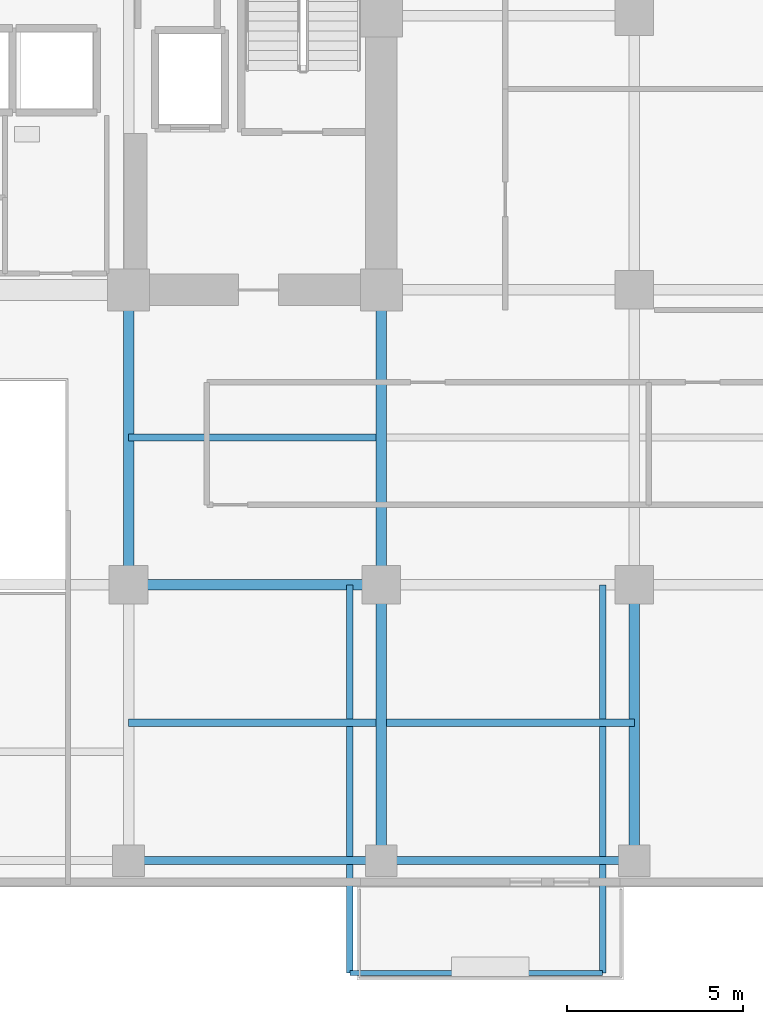
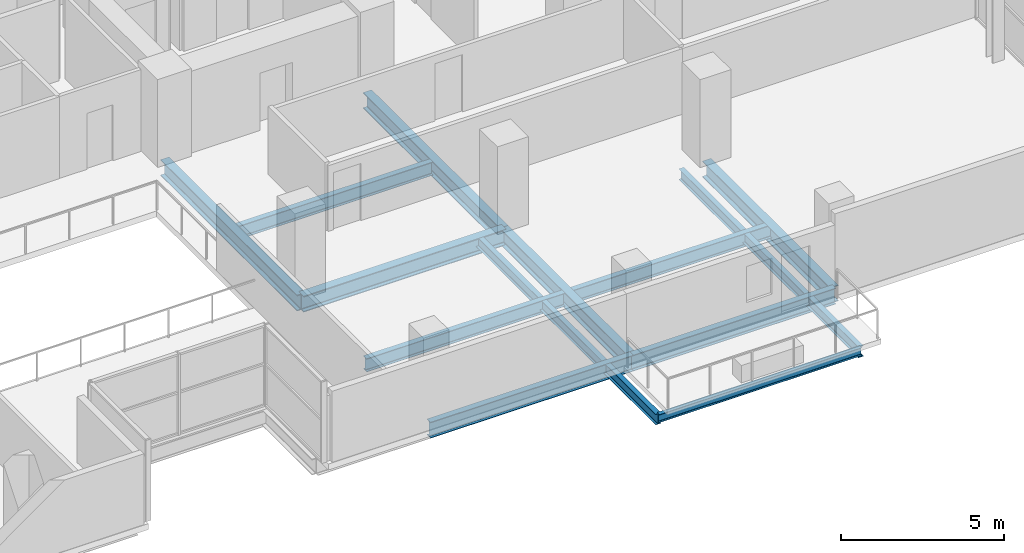
# One storey, part 10 of 31: 13 beams.
"""IFC4 building model written with IfcOpenShell, lengths in metres."""

from ifc_helpers import new_model, si_unit, direction, frame, origin, origin_2d, place, context, subcontext, project, spatial, i_section, extrude, material, material_profile, profile_set, type_object, element, save


model = new_model("IFC4")

# Units and contexts
model_context = context("Model", 3, precision=1e-05, world=origin(), true_north=direction((0.0, 1.0)))
body_context = subcontext(model_context, "Body", "Model", "MODEL_VIEW")
ifc_project = project(units=[si_unit("LENGTHUNIT", "METRE"), si_unit("AREAUNIT", "SQUARE_METRE"), si_unit("VOLUMEUNIT", "CUBIC_METRE"), si_unit("PLANEANGLEUNIT", "RADIAN"), si_unit("MASSUNIT", "GRAM", prefix="KILO")], contexts=[model_context])

# Site, building, storey
site_placement = place(None, origin())
site = spatial("IfcSite", under=ifc_project, at=site_placement, CompositionType="ELEMENT")
building_placement = place(site_placement, origin())
building = spatial("IfcBuilding", under=site, at=building_placement, Name="Zarnakvel Exchange Tower", CompositionType="ELEMENT")
storey_placement = place(building_placement, frame((0.0, 0.0, 67.0)))
storey = spatial("IfcBuildingStorey", under=building, at=storey_placement, Name="L18", CompositionType="ELEMENT", Elevation=67.0)

# Beams
ifc_material = material(Name="Steel S355", Category="steel")
ifc_material_profile_1 = material_profile(ifc_material, i_section(OverallWidth=0.199951171875, OverallDepth=0.5, WebThickness=0.01025390625, FlangeThickness=0.01611328125, FilletRadius=0.02099609375, at=origin_2d()))
ifc_profile_set_1 = profile_set([ifc_material_profile_1], Name="Steel S355")
beam_type_1 = type_object("IfcBeamType", Name="B-04", PredefinedType="JOIST", material=ifc_profile_set_1)
for number, where, z_axis, x_axis, name in (
    (1, (7.199951171875, -13.52490234375, -0.47509765625), (1.0, 0.0, 0.0), (0.0, 1.0, 0.0), "L18 Composite Floor Secondary Joist"),
    (2, (14.550048828125, -13.52490234375, -0.47509765625), (1.0, 0.0, 0.0), (0.0, 1.0, 0.0), "L18 Composite Floor Secondary Joist"),
    (3, (7.199951171875, -5.39990234375, -0.47509765625), (1.0, 0.0, 0.0), (0.0, 1.0, 0.0), "L18 Composite Floor Secondary Joist"),
):
    element("IfcBeam", number, at=place(storey_placement, frame(where, z_axis=z_axis, x_axis=x_axis)), inside=storey, type_object=beam_type_1, Name=name, PredefinedType="JOIST", context=body_context, shape_type="SweptSolid", body=[
        extrude(i_section(OverallWidth=0.199951171875, OverallDepth=0.5, WebThickness=0.01025390625, FlangeThickness=0.01611328125, FilletRadius=0.02099609375, at=origin_2d()), origin(), (0.0, 0.0, 1.0), 7.050048828125),
    ])
ifc_material_profile_2 = material_profile(ifc_material, i_section(OverallWidth=0.179931640625, OverallDepth=0.39990234375, WebThickness=0.008544921875, FlangeThickness=0.013427734375, FilletRadius=0.02099609375, at=origin_2d()))
ifc_profile_set_2 = profile_set([ifc_material_profile_2], Name="Steel S355")
beam_type_2 = type_object("IfcBeamType", Name="B-06", PredefinedType="JOIST", material=ifc_profile_set_2)
for number, where, z_axis, x_axis, name in (
    (4, (13.5, -9.60009765625, -0.425048828125), (0.0, -1.0, 0.0), (1.0, 0.0, 0.0), "L18 Continuous Back-Spanned Balcony Beam W"),
    (5, (20.699951171875, -9.60009765625, -0.425048828125), (0.0, -1.0, 0.0), (1.0, 0.0, 0.0), "L18 Continuous Back-Spanned Balcony Beam E"),
):
    element("IfcBeam", number, at=place(storey_placement, frame(where, z_axis=z_axis, x_axis=x_axis)), inside=storey, type_object=beam_type_2, Name=name, PredefinedType="JOIST", context=body_context, shape_type="SweptSolid", body=[
        extrude(i_section(OverallWidth=0.179931640625, OverallDepth=0.39990234375, WebThickness=0.008544921875, FlangeThickness=0.013427734375, FilletRadius=0.02099609375, at=origin_2d()), origin(), (0.0, 0.0, 1.0), 11.0498046875),
    ])
ifc_material_profile_3 = material_profile(ifc_material, i_section(OverallWidth=0.14990234375, OverallDepth=0.300048828125, WebThickness=0.007080078125, FlangeThickness=0.0107421875, FilletRadius=0.014892578125, at=origin_2d()))
ifc_profile_set_3 = profile_set([ifc_material_profile_3], Name="Steel S355")
beam_type_3 = type_object("IfcBeamType", Name="B-08", PredefinedType="JOIST", material=ifc_profile_set_3)
beam_1_placement = place(storey_placement, frame((13.5, -20.64990234375, -0.375), z_axis=(1.0, 0.0, 0.0), x_axis=(0.0, 1.0, 0.0)))
element("IfcBeam", 6, at=beam_1_placement, inside=storey, type_object=beam_type_3, Name="L18 Balcony Edge Beam", PredefinedType="JOIST", context=body_context, shape_type="SweptSolid", body=[
    extrude(i_section(OverallWidth=0.14990234375, OverallDepth=0.300048828125, WebThickness=0.007080078125, FlangeThickness=0.0107421875, FilletRadius=0.014892578125, at=origin_2d()), origin(), (0.0, 0.0, 1.0), 7.199951171875),
])
ifc_material_profile_4 = material_profile(ifc_material, i_section(OverallWidth=0.300048828125, OverallDepth=0.60009765625, WebThickness=0.015380859375, FlangeThickness=0.030029296875, FilletRadius=0.027099609375, at=origin_2d()))
ifc_profile_set_4 = profile_set([ifc_material_profile_4], Name="Steel S355")
beam_type_4 = type_object("IfcBeamType", Name="G-04", PredefinedType="BEAM", material=ifc_profile_set_4)
beam_2_placement = place(storey_placement, frame((7.199951171875, -9.60009765625, -0.52490234375), z_axis=(1.0, 0.0, 0.0), x_axis=(0.0, 1.0, 0.0)))
element("IfcBeam", 7, at=beam_2_placement, inside=storey, type_object=beam_type_4, Name="L18 Tower E-W Frame Beam", PredefinedType="BEAM", context=body_context, shape_type="SweptSolid", body=[
    extrude(i_section(OverallWidth=0.300048828125, OverallDepth=0.60009765625, WebThickness=0.015380859375, FlangeThickness=0.030029296875, FilletRadius=0.027099609375, at=origin_2d()), origin(), (0.0, 0.0, 1.0), 7.199951171875),
])
beam_3_placement = place(storey_placement, frame((7.199951171875, -9.60009765625, -0.52490234375), z_axis=(0.0, 1.0, 0.0), x_axis=(-1.0, 0.0, 0.0)))
element("IfcBeam", 8, at=beam_3_placement, inside=storey, type_object=beam_type_4, Name="L18 Tower N-S Frame Beam", PredefinedType="BEAM", context=body_context, shape_type="SweptSolid", body=[
    extrude(i_section(OverallWidth=0.300048828125, OverallDepth=0.60009765625, WebThickness=0.015380859375, FlangeThickness=0.030029296875, FilletRadius=0.027099609375, at=origin_2d()), origin(), (0.0, 0.0, 1.0), 8.400146484375),
])
beam_4_placement = place(storey_placement, frame((14.39990234375, -17.449951171875, -0.52490234375), z_axis=(0.0, 1.0, 0.0), x_axis=(-1.0, 0.0, 0.0)))
element("IfcBeam", 9, at=beam_4_placement, inside=storey, type_object=beam_type_4, Name="L18 Tower N-S Frame Beam", PredefinedType="BEAM", context=body_context, shape_type="SweptSolid", body=[
    extrude(i_section(OverallWidth=0.300048828125, OverallDepth=0.60009765625, WebThickness=0.015380859375, FlangeThickness=0.030029296875, FilletRadius=0.027099609375, at=origin_2d()), origin(), (0.0, 0.0, 1.0), 7.849853515625),
])
beam_5_placement = place(storey_placement, frame((14.39990234375, -9.60009765625, -0.52490234375), z_axis=(0.0, 1.0, 0.0), x_axis=(-1.0, 0.0, 0.0)))
element("IfcBeam", 10, at=beam_5_placement, inside=storey, type_object=beam_type_4, Name="L18 Tower N-S Frame Beam", PredefinedType="BEAM", context=body_context, shape_type="SweptSolid", body=[
    extrude(i_section(OverallWidth=0.300048828125, OverallDepth=0.60009765625, WebThickness=0.015380859375, FlangeThickness=0.030029296875, FilletRadius=0.027099609375, at=origin_2d()), origin(), (0.0, 0.0, 1.0), 8.400146484375),
])
beam_6_placement = place(storey_placement, frame((21.60009765625, -17.449951171875, -0.52490234375), z_axis=(0.0, 1.0, 0.0), x_axis=(-1.0, 0.0, 0.0)))
element("IfcBeam", 11, at=beam_6_placement, inside=storey, type_object=beam_type_4, Name="L18 Tower N-S Frame Beam", PredefinedType="BEAM", context=body_context, shape_type="SweptSolid", body=[
    extrude(i_section(OverallWidth=0.300048828125, OverallDepth=0.60009765625, WebThickness=0.015380859375, FlangeThickness=0.030029296875, FilletRadius=0.027099609375, at=origin_2d()), origin(), (0.0, 0.0, 1.0), 7.849853515625),
])
ifc_material_profile_5 = material_profile(ifc_material, i_section(OverallWidth=0.219970703125, OverallDepth=0.60009765625, WebThickness=0.011962890625, FlangeThickness=0.01904296875, FilletRadius=0.02392578125, at=origin_2d()))
ifc_profile_set_5 = profile_set([ifc_material_profile_5], Name="Steel S355")
beam_type_5 = type_object("IfcBeamType", Name="SP-01", PredefinedType="SPANDREL", material=ifc_profile_set_5)
beam_7_placement = place(storey_placement, frame((7.199951171875, -17.449951171875, -0.52490234375), z_axis=(1.0, 0.0, 0.0), x_axis=(0.0, 1.0, 0.0)))
element("IfcBeam", 12, at=beam_7_placement, inside=storey, type_object=beam_type_5, Name="L18 Tower E-W Frame Beam", PredefinedType="SPANDREL", context=body_context, shape_type="SweptSolid", body=[
    extrude(i_section(OverallWidth=0.219970703125, OverallDepth=0.60009765625, WebThickness=0.011962890625, FlangeThickness=0.01904296875, FilletRadius=0.02392578125, at=origin_2d()), origin(), (0.0, 0.0, 1.0), 7.199951171875),
])
beam_8_placement = place(storey_placement, frame((14.39990234375, -17.449951171875, -0.52490234375), z_axis=(1.0, 0.0, 0.0), x_axis=(0.0, 1.0, 0.0)))
element("IfcBeam", 13, at=beam_8_placement, inside=storey, type_object=beam_type_5, Name="L18 Tower E-W Frame Beam", PredefinedType="SPANDREL", context=body_context, shape_type="SweptSolid", body=[
    extrude(i_section(OverallWidth=0.219970703125, OverallDepth=0.60009765625, WebThickness=0.011962890625, FlangeThickness=0.01904296875, FilletRadius=0.02392578125, at=origin_2d()), origin(), (0.0, 0.0, 1.0), 7.2001953125),
])

save(model, "model.ifc")
